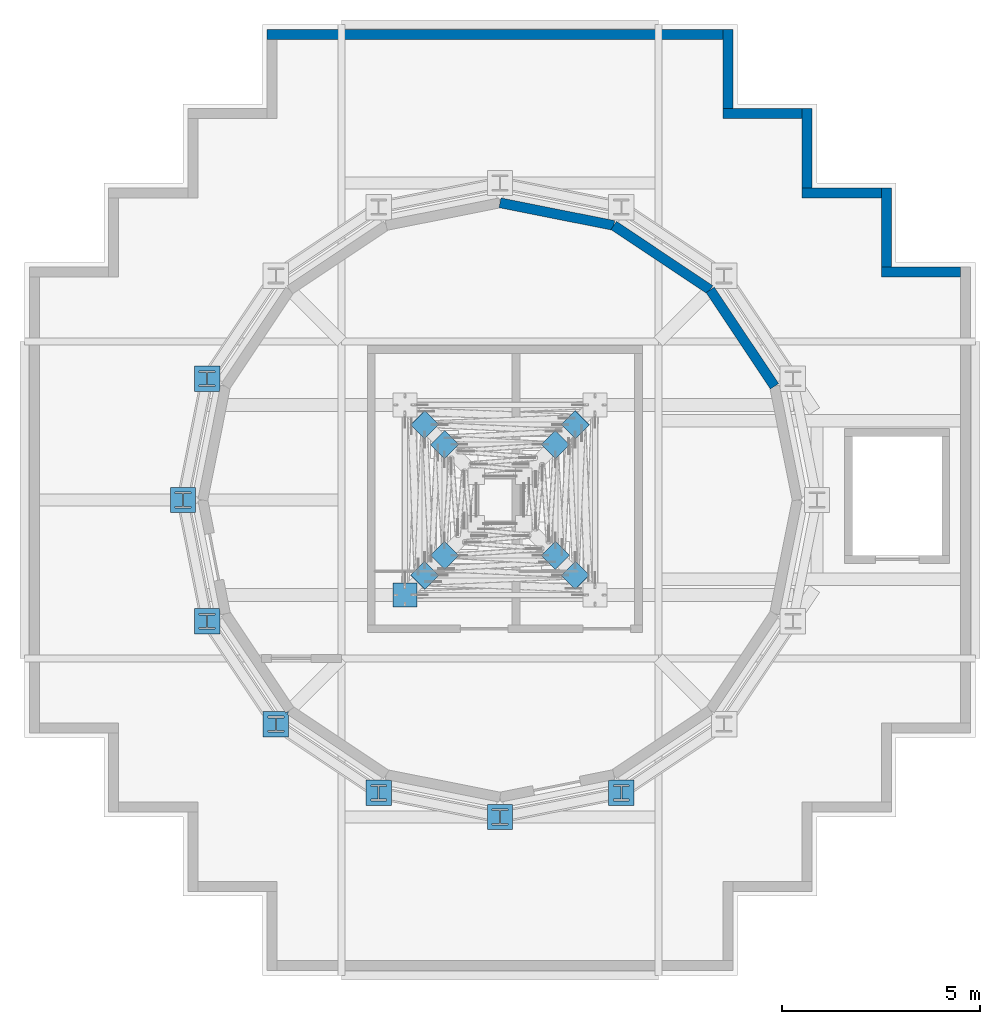
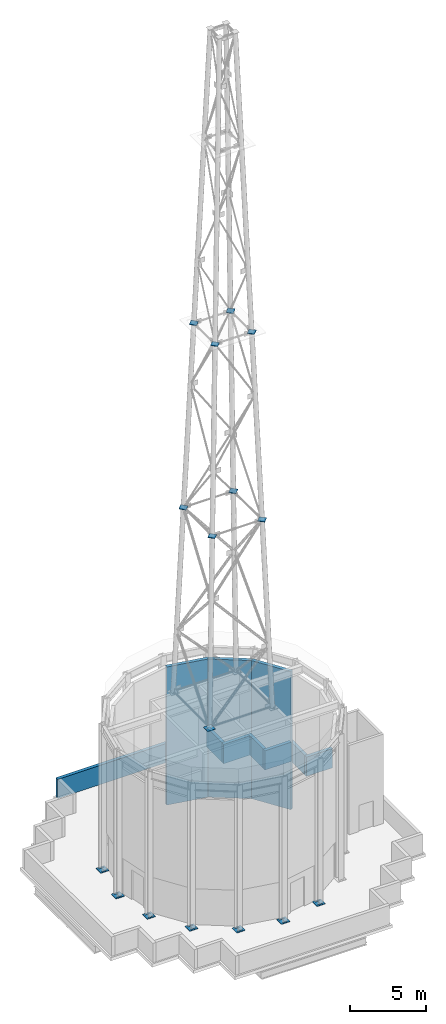
# One storey, part 4 of 15: 24 discrete accessories, 10 walls.
"""IFC4 building model written with IfcOpenShell, lengths in metres."""

from ifc_helpers import new_model, si_unit, direction, frame, frame_2d, origin, origin_2d, place, context, subcontext, project, spatial, polyline, rectangle, outline, extrude, material, layer, layer_set, material_profile, profile_set, type_object, element, save


model = new_model("IFC4")

# Units and contexts
model_context = context("Model", 3, precision=1e-05, world=origin(), true_north=direction((0.0, 1.0)))
body_context = subcontext(model_context, "Body", "Model", "MODEL_VIEW")
ifc_project = project(units=[si_unit("LENGTHUNIT", "METRE"), si_unit("AREAUNIT", "SQUARE_METRE"), si_unit("VOLUMEUNIT", "CUBIC_METRE"), si_unit("PLANEANGLEUNIT", "RADIAN"), si_unit("MASSUNIT", "GRAM", prefix="KILO")], contexts=[model_context])

# Site, building, storey
site_placement = place(None, origin())
site = spatial("IfcSite", under=ifc_project, at=site_placement, CompositionType="ELEMENT")
building_placement = place(site_placement, origin())
building = spatial("IfcBuilding", under=site, at=building_placement, Name="Immortelle Media Tower", CompositionType="ELEMENT")
storey_placement = place(building_placement, frame((0.0, 0.0, 308.0)))
storey = spatial("IfcBuildingStorey", under=building, at=storey_placement, Name="Roof", CompositionType="ELEMENT", Elevation=308.0)

# Walls
ifc_material_1 = material(Name="Pale aluminium cladding panel", Category="aluminium")
ifc_layer_1 = layer(ifc_material_1, 0.030029296875)
ifc_material_2 = material(Name="Steel ASTM A653 SS Gr 50 stud frame with mineral wool", Category="steel")
ifc_layer_2 = layer(ifc_material_2, 0.20751953125)
ifc_material_3 = material(Name="Moisture-resistant gypsum board", Category="gypsum")
ifc_layer_3 = layer(ifc_material_3, 0.012451171875)
ifc_layer_set_1 = layer_set([ifc_layer_1, ifc_layer_2, ifc_layer_3], Name="Steel ASTM A653 SS Gr 50 stud frame with mineral wool")
wall_type_1 = type_object("IfcWallType", Name="Plant drum wall 250", PredefinedType="STANDARD", material=ifc_layer_set_1)
for number, where, z_axis, x_axis, name in (
    (1, (18.92919921875, 14.8701171875, 0.0), (0.0, 0.0, 1.0), (-0.555623968812, 0.831433704682, 0.0), "Plant drum wall 2"),
    (2, (17.30322265625, 17.30322265625, 0.0), (0.0, 0.0, 1.0), (-0.831433704682, 0.555623968812, 0.0), "Plant drum wall 3"),
):
    element("IfcWall", number, at=place(storey_placement, frame(where, z_axis=z_axis, x_axis=x_axis)), inside=storey, type_object=wall_type_1, Name=name, PredefinedType="STANDARD", context=body_context, shape_type="SweptSolid", body=[
        extrude(rectangle(XDim=2.926513671875, YDim=0.25, at=frame_2d((1.46337890625, 0.0))), origin(), (0.0, 0.0, 1.0), 11.136962890625),
    ])
wall_1_placement = place(storey_placement, frame((14.8701171875, 18.92919921875, 0.0), z_axis=(0.0, 0.0, 1.0), x_axis=(-0.980791885375, 0.195057113645, 0.0)))
element("IfcWall", 3, at=wall_1_placement, inside=storey, type_object=wall_type_1, Name="Plant drum wall 4", PredefinedType="STANDARD", context=body_context, shape_type="SweptSolid", body=[
    extrude(rectangle(XDim=2.92626953125, YDim=0.25, at=frame_2d((1.463134765625, 0.0))), origin(), (0.0, 0.0, 1.0), 11.136962890625),
])
ifc_material_4 = material(Name="Pale aluminium coping panel", Category="aluminium")
ifc_layer_4 = layer(ifc_material_4, 0.030029296875)
ifc_layer_5 = layer(ifc_material_2, 0.18994140625)
ifc_layer_6 = layer(ifc_material_4, 0.030029296875)
ifc_layer_set_2 = layer_set([ifc_layer_4, ifc_layer_5, ifc_layer_6], Name="Steel ASTM A653 SS Gr 50 stud frame with mineral wool")
wall_type_2 = type_object("IfcWallType", Name="Roof parapet wall 250", PredefinedType="PARAPET", material=ifc_layer_set_2)
for number, where, z_axis, x_axis, name in (
    (4, (23.625, 17.75, 0.0), (0.0, 0.0, 1.0), (-1.0, 0.0, 0.0), "Roof parapet Roof N 8"),
    (5, (21.75, 17.875, 0.0), (0.0, 0.0, 1.0), (0.0, 1.0, 0.0), "Roof parapet Roof E 9"),
    (6, (21.625, 19.75, 0.0), (0.0, 0.0, 1.0), (-1.0, 0.0, 0.0), "Roof parapet Roof N 10"),
    (7, (19.75, 19.875, 0.0), (0.0, 0.0, 1.0), (0.0, 1.0, 0.0), "Roof parapet Roof E 11"),
    (8, (19.625, 21.75, 0.0), (0.0, 0.0, 1.0), (-1.0, 0.0, 0.0), "Roof parapet Roof N 12"),
    (9, (17.75, 21.875, 0.0), (0.0, 0.0, 1.0), (0.0, 1.0, 0.0), "Roof parapet Roof E 13"),
):
    element("IfcWall", number, at=place(storey_placement, frame(where, z_axis=z_axis, x_axis=x_axis)), inside=storey, type_object=wall_type_2, Name=name, PredefinedType="PARAPET", context=body_context, shape_type="SweptSolid", body=[
        extrude(rectangle(XDim=2.0, YDim=0.25, at=frame_2d((1.0, 0.0))), origin(), (0.0, 0.0, 1.0), 1.550048828125),
    ])
wall_2_placement = place(storey_placement, frame((17.625, 23.75, 0.0), z_axis=(0.0, 0.0, 1.0), x_axis=(-1.0, 0.0, 0.0)))
element("IfcWall", 10, at=wall_2_placement, inside=storey, type_object=wall_type_2, Name="Roof parapet Roof N 14", PredefinedType="PARAPET", context=body_context, shape_type="SweptSolid", body=[
    extrude(rectangle(XDim=11.5, YDim=0.25, at=frame_2d((5.75, 0.0))), origin(), (0.0, 0.0, 1.0), 1.550048828125),
])

# Discrete accessories
ifc_material_5 = material(Name="Steel ASTM A572 Gr 50", Category="steel")
ifc_layer_7 = layer(ifc_material_5, 0.030029296875)
ifc_layer_set_3 = layer_set([ifc_layer_7], Name="Steel ASTM A572 Gr 50")
discrete_accessory_type_1 = type_object("IfcDiscreteAccessoryType", Name="Column foot plate BP5 640 x 640 x 30", PredefinedType="ANCHORPLATE", material=ifc_layer_set_3)
discrete_accessory_1_placement = place(storey_placement, frame((4.60888671875, 15.0615234375, 0.0), z_axis=(0.0, 0.0, 1.0), x_axis=(1.0, 0.0, 0.0)))
element("IfcDiscreteAccessory", 11, at=discrete_accessory_1_placement, inside=storey, type_object=discrete_accessory_type_1, Name="Foot plate BP5 of Drum column 8", PredefinedType="ANCHORPLATE", context=body_context, shape_type="SweptSolid", body=[
    extrude(outline(polyline([(-0.320068359375, 0.320068359375), (-0.320068359375, -0.320068359375), (0.308837890625, -0.320068359375), (0.320068359375, -0.26416015625), (0.320068359375, 0.320068359375), (-0.320068359375, 0.320068359375)]), holes=[polyline([(0.012451171875, -0.159423828125), (0.200439453125, -0.159423828125), (0.200439453125, -0.199462890625), (0.012451171875, -0.199462890625), (-0.012451171875, -0.199462890625), (-0.200439453125, -0.199462890625), (-0.200439453125, -0.159423828125), (-0.012451171875, -0.159423828125), (-0.012451171875, 0.159423828125), (-0.200439453125, 0.159423828125), (-0.200439453125, 0.199462890625), (-0.012451171875, 0.199462890625), (0.012451171875, 0.199462890625), (0.200439453125, 0.199462890625), (0.200439453125, 0.159423828125), (0.012451171875, 0.159423828125), (0.012451171875, -0.159423828125)])]), origin(), (0.0, 0.0, 1.0), 0.030029296875),
])
discrete_accessory_2_placement = place(storey_placement, frame((4.0, 12.0, 0.0), z_axis=(0.0, 0.0, 1.0), x_axis=(1.0, 0.0, 0.0)))
element("IfcDiscreteAccessory", 12, at=discrete_accessory_2_placement, inside=storey, type_object=discrete_accessory_type_1, Name="Foot plate BP5 of Drum column 9", PredefinedType="ANCHORPLATE", context=body_context, shape_type="SweptSolid", body=[
    extrude(outline(polyline([(-0.320068359375, -0.320068359375), (0.320068359375, -0.320068359375), (0.320068359375, 0.320068359375), (-0.320068359375, 0.320068359375), (-0.320068359375, -0.320068359375)]), holes=[polyline([(0.012451171875, -0.159423828125), (0.200439453125, -0.159423828125), (0.200439453125, -0.199462890625), (0.012451171875, -0.199462890625), (-0.012451171875, -0.199462890625), (-0.200439453125, -0.199462890625), (-0.200439453125, -0.159423828125), (-0.012451171875, -0.159423828125), (-0.012451171875, 0.159423828125), (-0.200439453125, 0.159423828125), (-0.200439453125, 0.199462890625), (-0.012451171875, 0.199462890625), (0.012451171875, 0.199462890625), (0.200439453125, 0.199462890625), (0.200439453125, 0.159423828125), (0.012451171875, 0.159423828125), (0.012451171875, -0.159423828125)])]), origin(), (0.0, 0.0, 1.0), 0.030029296875),
])
discrete_accessory_3_placement = place(storey_placement, frame((4.60888671875, 8.9384765625, 0.0), z_axis=(0.0, 0.0, 1.0), x_axis=(1.0, 0.0, 0.0)))
element("IfcDiscreteAccessory", 13, at=discrete_accessory_3_placement, inside=storey, type_object=discrete_accessory_type_1, Name="Foot plate BP5 of Drum column 10", PredefinedType="ANCHORPLATE", context=body_context, shape_type="SweptSolid", body=[
    extrude(outline(polyline([(-0.320068359375, -0.320068359375), (0.320068359375, -0.320068359375), (0.320068359375, 0.26416015625), (0.308837890625, 0.320068359375), (-0.320068359375, 0.320068359375), (-0.320068359375, -0.320068359375)]), holes=[polyline([(0.012451171875, -0.159423828125), (0.200439453125, -0.159423828125), (0.200439453125, -0.199462890625), (0.012451171875, -0.199462890625), (-0.012451171875, -0.199462890625), (-0.200439453125, -0.199462890625), (-0.200439453125, -0.159423828125), (-0.012451171875, -0.159423828125), (-0.012451171875, 0.159423828125), (-0.200439453125, 0.159423828125), (-0.200439453125, 0.199462890625), (-0.012451171875, 0.199462890625), (0.012451171875, 0.199462890625), (0.200439453125, 0.199462890625), (0.200439453125, 0.159423828125), (0.012451171875, 0.159423828125), (0.012451171875, -0.159423828125)])]), origin(), (0.0, 0.0, 1.0), 0.030029296875),
])
discrete_accessory_4_placement = place(storey_placement, frame((6.343017578125, 6.343017578125, 0.0), z_axis=(0.0, 0.0, 1.0), x_axis=(1.0, 0.0, 0.0)))
element("IfcDiscreteAccessory", 14, at=discrete_accessory_4_placement, inside=storey, type_object=discrete_accessory_type_1, Name="Foot plate BP5 of Drum column 11", PredefinedType="ANCHORPLATE", context=body_context, shape_type="SweptSolid", body=[
    extrude(outline(polyline([(-0.320068359375, -0.320068359375), (0.320068359375, -0.320068359375), (0.320068359375, 0.225830078125), (0.2841796875, 0.249755859375), (0.320068359375, 0.30322265625), (0.320068359375, 0.320068359375), (0.30322265625, 0.320068359375), (0.249755859375, 0.2841796875), (0.225830078125, 0.320068359375), (-0.320068359375, 0.320068359375), (-0.320068359375, -0.320068359375)]), holes=[polyline([(0.012451171875, -0.159423828125), (0.200439453125, -0.159423828125), (0.200439453125, -0.199462890625), (0.012451171875, -0.199462890625), (-0.012451171875, -0.199462890625), (-0.200439453125, -0.199462890625), (-0.200439453125, -0.159423828125), (-0.012451171875, -0.159423828125), (-0.012451171875, 0.159423828125), (-0.200439453125, 0.159423828125), (-0.200439453125, 0.199462890625), (-0.012451171875, 0.199462890625), (0.012451171875, 0.199462890625), (0.200439453125, 0.199462890625), (0.200439453125, 0.159423828125), (0.012451171875, 0.159423828125), (0.012451171875, -0.159423828125)])]), origin(), (0.0, 0.0, 1.0), 0.030029296875),
])
discrete_accessory_5_placement = place(storey_placement, frame((8.9384765625, 4.60888671875, 0.0), z_axis=(0.0, 0.0, 1.0), x_axis=(1.0, 0.0, 0.0)))
element("IfcDiscreteAccessory", 15, at=discrete_accessory_5_placement, inside=storey, type_object=discrete_accessory_type_1, Name="Foot plate BP5 of Drum column 12", PredefinedType="ANCHORPLATE", context=body_context, shape_type="SweptSolid", body=[
    extrude(outline(polyline([(-0.320068359375, -0.320068359375), (0.320068359375, -0.320068359375), (0.320068359375, 0.308837890625), (0.26416015625, 0.320068359375), (-0.320068359375, 0.320068359375), (-0.320068359375, -0.320068359375)]), holes=[polyline([(0.012451171875, -0.159423828125), (0.200439453125, -0.159423828125), (0.200439453125, -0.199462890625), (0.012451171875, -0.199462890625), (-0.012451171875, -0.199462890625), (-0.200439453125, -0.199462890625), (-0.200439453125, -0.159423828125), (-0.012451171875, -0.159423828125), (-0.012451171875, 0.159423828125), (-0.200439453125, 0.159423828125), (-0.200439453125, 0.199462890625), (-0.012451171875, 0.199462890625), (0.012451171875, 0.199462890625), (0.200439453125, 0.199462890625), (0.200439453125, 0.159423828125), (0.012451171875, 0.159423828125), (0.012451171875, -0.159423828125)])]), origin(), (0.0, 0.0, 1.0), 0.030029296875),
])
discrete_accessory_6_placement = place(storey_placement, frame((12.0, 4.0, 0.0), z_axis=(0.0, 0.0, 1.0), x_axis=(1.0, 0.0, 0.0)))
element("IfcDiscreteAccessory", 16, at=discrete_accessory_6_placement, inside=storey, type_object=discrete_accessory_type_1, Name="Foot plate BP5 of Drum column 13", PredefinedType="ANCHORPLATE", context=body_context, shape_type="SweptSolid", body=[
    extrude(outline(polyline([(-0.320068359375, -0.320068359375), (0.320068359375, -0.320068359375), (0.320068359375, 0.320068359375), (-0.320068359375, 0.320068359375), (-0.320068359375, -0.320068359375)]), holes=[polyline([(0.012451171875, -0.159423828125), (0.200439453125, -0.159423828125), (0.200439453125, -0.199462890625), (0.012451171875, -0.199462890625), (-0.012451171875, -0.199462890625), (-0.200439453125, -0.199462890625), (-0.200439453125, -0.159423828125), (-0.012451171875, -0.159423828125), (-0.012451171875, 0.159423828125), (-0.200439453125, 0.159423828125), (-0.200439453125, 0.199462890625), (-0.012451171875, 0.199462890625), (0.012451171875, 0.199462890625), (0.200439453125, 0.199462890625), (0.200439453125, 0.159423828125), (0.012451171875, 0.159423828125), (0.012451171875, -0.159423828125)])]), origin(), (0.0, 0.0, 1.0), 0.030029296875),
])
discrete_accessory_7_placement = place(storey_placement, frame((15.0615234375, 4.60888671875, 0.0), z_axis=(0.0, 0.0, 1.0), x_axis=(1.0, 0.0, 0.0)))
element("IfcDiscreteAccessory", 17, at=discrete_accessory_7_placement, inside=storey, type_object=discrete_accessory_type_1, Name="Foot plate BP5 of Drum column 14", PredefinedType="ANCHORPLATE", context=body_context, shape_type="SweptSolid", body=[
    extrude(outline(polyline([(0.320068359375, -0.320068359375), (0.320068359375, 0.320068359375), (-0.26416015625, 0.320068359375), (-0.320068359375, 0.308837890625), (-0.320068359375, -0.320068359375), (0.320068359375, -0.320068359375)]), holes=[polyline([(0.012451171875, -0.159423828125), (0.200439453125, -0.159423828125), (0.200439453125, -0.199462890625), (0.012451171875, -0.199462890625), (-0.012451171875, -0.199462890625), (-0.200439453125, -0.199462890625), (-0.200439453125, -0.159423828125), (-0.012451171875, -0.159423828125), (-0.012451171875, 0.159423828125), (-0.200439453125, 0.159423828125), (-0.200439453125, 0.199462890625), (-0.012451171875, 0.199462890625), (0.012451171875, 0.199462890625), (0.200439453125, 0.199462890625), (0.200439453125, 0.159423828125), (0.012451171875, 0.159423828125), (0.012451171875, -0.159423828125)])]), origin(), (0.0, 0.0, 1.0), 0.030029296875),
])
ifc_material_6 = material(Name="Structural steel S355J2 plate", Category="steel")
ifc_layer_8 = layer(ifc_material_6, 0.0400390625)
ifc_layer_set_4 = layer_set([ifc_layer_8], Name="Structural steel S355J2 plate")
discrete_accessory_type_2 = type_object("IfcDiscreteAccessoryType", Name="MAST base plate 600 x 600 x 40", PredefinedType="ANCHORPLATE", material=ifc_layer_set_4)
discrete_accessory_8_placement = place(storey_placement, frame((9.60009765625, 9.60009765625, 12.949951171875), z_axis=(0.0, 0.0, 1.0), x_axis=(1.0, 0.0, 0.0)))
element("IfcDiscreteAccessory", 18, at=discrete_accessory_8_placement, inside=storey, type_object=discrete_accessory_type_2, Name="MAST base plate A", PredefinedType="ANCHORPLATE", context=body_context, shape_type="SweptSolid", body=[
    extrude(rectangle(XDim=0.60009765625, YDim=0.60009765625, at=origin_2d()), origin(), (0.0, 0.0, 1.0), 0.0400390625),
])
ifc_material_profile_1 = material_profile(ifc_material_5, rectangle(XDim=0.5, YDim=0.5, at=origin_2d()), Name="PL 500 x 500")
ifc_profile_set_1 = profile_set([ifc_material_profile_1], Name="Steel ASTM A572 Gr 50")
discrete_accessory_type_3 = type_object("IfcDiscreteAccessoryType", Name="Splice plate SP1 500 x 500 x 25", PredefinedType="USERDEFINED", material=ifc_profile_set_1)
for number, where, z_axis, x_axis, name in (
    (19, (10.099365234375, 10.099365234375, 27.965087890625), (0.029386354969, 0.029386354969, 0.999136068953), (-0.707106781187, 0.707106781187, 0.0), "Splice plate SP1 on the lower leg length, leg A"),
    (20, (10.599365234375, 10.599365234375, 42.965087890625), (0.029386354969, 0.029386354969, 0.999136068953), (-0.707106781187, 0.707106781187, 0.0), "Splice plate SP1 on the lower leg length, leg A"),
    (21, (13.900634765625, 10.099365234375, 27.965087890625), (-0.029386354969, 0.029386354969, 0.999136068953), (-0.707106781187, -0.707106781187, 0.0), "Splice plate SP1 on the lower leg length, leg B"),
    (22, (13.400634765625, 10.599365234375, 42.965087890625), (-0.029386354969, 0.029386354969, 0.999136068953), (-0.707106781187, -0.707106781187, 0.0), "Splice plate SP1 on the lower leg length, leg B"),
    (23, (13.900634765625, 13.900634765625, 27.965087890625), (-0.029386354969, -0.029386354969, 0.999136068953), (0.707106781187, -0.707106781187, 0.0), "Splice plate SP1 on the lower leg length, leg C"),
    (24, (13.400634765625, 13.400634765625, 42.965087890625), (-0.029386354969, -0.029386354969, 0.999136068953), (0.707106781187, -0.707106781187, 0.0), "Splice plate SP1 on the lower leg length, leg C"),
    (25, (10.099365234375, 13.900634765625, 27.965087890625), (0.029386354969, -0.029386354969, 0.999136068953), (0.707106781187, 0.707106781187, 0.0), "Splice plate SP1 on the lower leg length, leg D"),
    (26, (10.599365234375, 13.400634765625, 42.965087890625), (0.029386354969, -0.029386354969, 0.999136068953), (0.707106781187, 0.707106781187, 0.0), "Splice plate SP1 on the lower leg length, leg D"),
):
    element("IfcDiscreteAccessory", number, at=place(storey_placement, frame(where, z_axis=z_axis, x_axis=x_axis)), inside=storey, type_object=discrete_accessory_type_3, Name=name, ObjectType="SPLICE PLATE", PredefinedType="USERDEFINED", context=body_context, shape_type="SweptSolid", body=[
        extrude(rectangle(XDim=0.5, YDim=0.5, at=origin_2d()), origin(), (0.0, 0.0, 1.0), 0.02490234375),
    ])
ifc_material_profile_2 = material_profile(ifc_material_5, rectangle(XDim=0.5, YDim=0.5, at=origin_2d()), Name="PL 500 x 500")
ifc_profile_set_2 = profile_set([ifc_material_profile_2], Name="Steel ASTM A572 Gr 50")
discrete_accessory_type_4 = type_object("IfcDiscreteAccessoryType", Name="Splice plate SP2 500 x 500 x 25", PredefinedType="USERDEFINED", material=ifc_profile_set_2)
for number, where, z_axis, x_axis, name in (
    (27, (10.10009765625, 10.10009765625, 27.989990234375), (0.029386354969, 0.029386354969, 0.999136068953), (-0.707106781187, 0.707106781187, 0.0), "Splice plate SP2 on the upper leg length, leg A"),
    (28, (10.60009765625, 10.60009765625, 42.989990234375), (0.03915551641, 0.03915551641, 0.998465668448), (-0.707106781187, 0.707106781187, 0.0), "Splice plate SP2 on the upper leg length, leg A"),
    (29, (13.89990234375, 10.10009765625, 27.989990234375), (-0.029386354969, 0.029386354969, 0.999136068953), (-0.707106781187, -0.707106781187, 0.0), "Splice plate SP2 on the upper leg length, leg B"),
    (30, (13.39990234375, 10.60009765625, 42.989990234375), (-0.03915551641, 0.03915551641, 0.998465668448), (-0.707106781187, -0.707106781187, 0.0), "Splice plate SP2 on the upper leg length, leg B"),
    (31, (13.89990234375, 13.89990234375, 27.989990234375), (-0.029386354969, -0.029386354969, 0.999136068953), (0.707106781187, -0.707106781187, 0.0), "Splice plate SP2 on the upper leg length, leg C"),
    (32, (13.39990234375, 13.39990234375, 42.989990234375), (-0.03915551641, -0.03915551641, 0.998465668448), (0.707106781187, -0.707106781187, 0.0), "Splice plate SP2 on the upper leg length, leg C"),
    (33, (10.10009765625, 13.89990234375, 27.989990234375), (0.029386354969, -0.029386354969, 0.999136068953), (0.707106781187, 0.707106781187, 0.0), "Splice plate SP2 on the upper leg length, leg D"),
    (34, (10.60009765625, 13.39990234375, 42.989990234375), (0.03915551641, -0.03915551641, 0.998465668448), (0.707106781187, 0.707106781187, 0.0), "Splice plate SP2 on the upper leg length, leg D"),
):
    element("IfcDiscreteAccessory", number, at=place(storey_placement, frame(where, z_axis=z_axis, x_axis=x_axis)), inside=storey, type_object=discrete_accessory_type_4, Name=name, ObjectType="SPLICE PLATE", PredefinedType="USERDEFINED", context=body_context, shape_type="SweptSolid", body=[
        extrude(rectangle(XDim=0.5, YDim=0.5, at=origin_2d()), origin(), (0.0, 0.0, 1.0), 0.02490234375),
    ])

save(model, "model.ifc")
